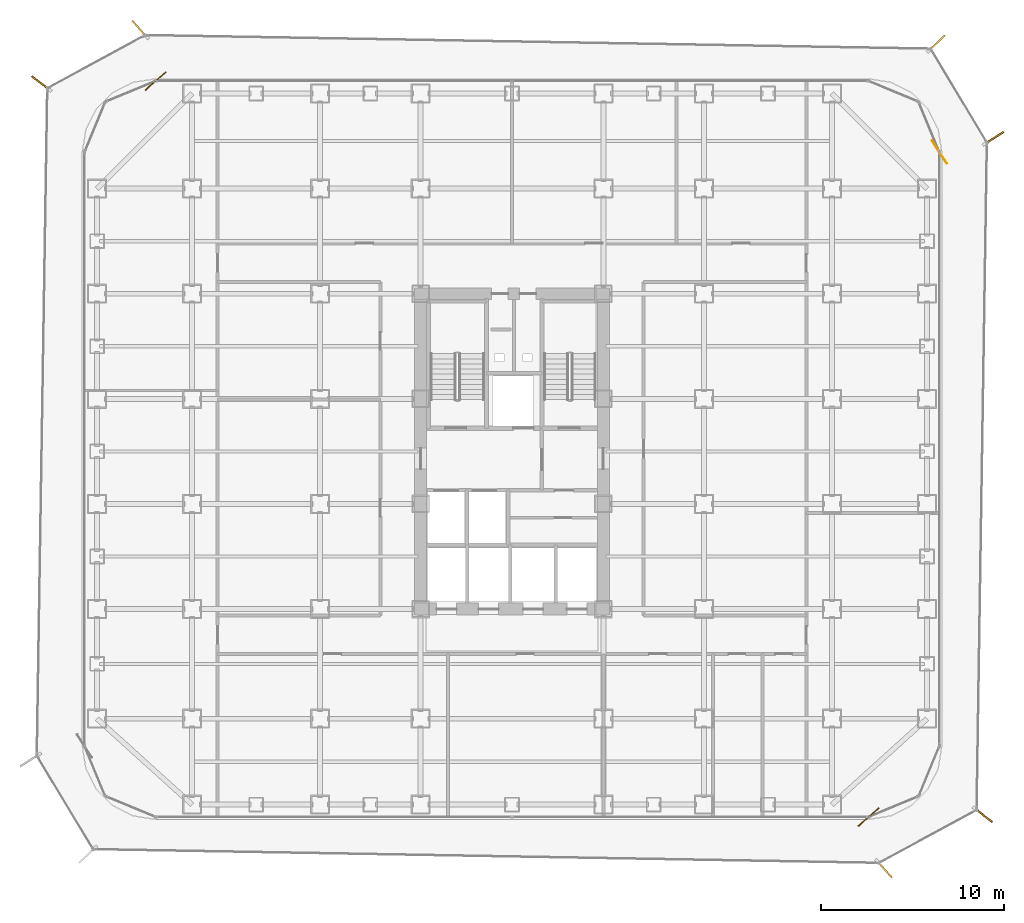
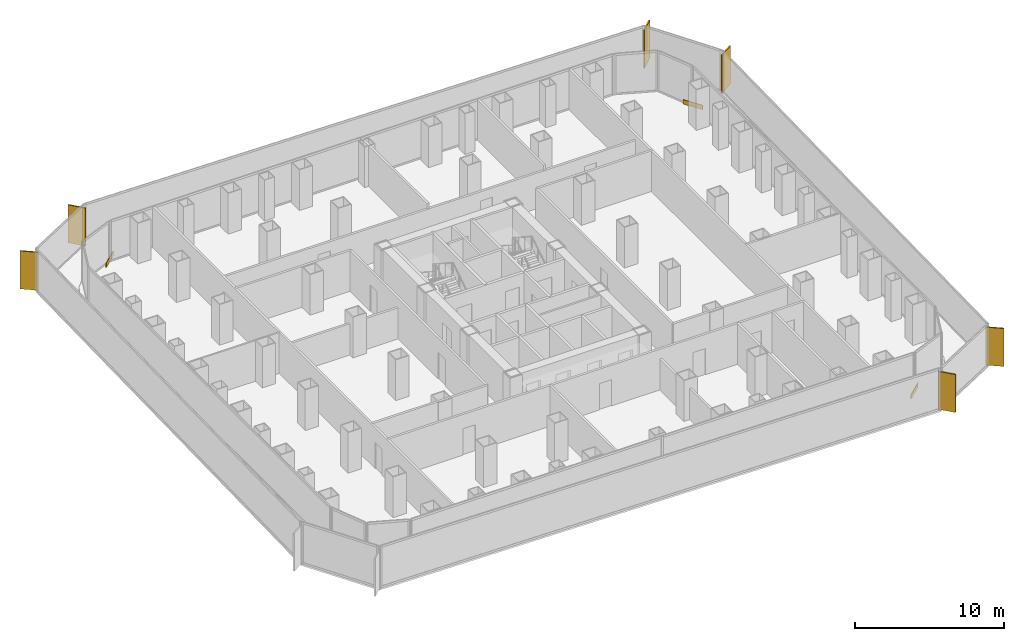
# One storey, part 21 of 21: 6 shading devices, 3 coverings.
"""IFC4 building model written with IfcOpenShell, lengths in metres."""

from ifc_helpers import new_model, si_unit, direction, frame, origin, origin_2d, place, context, subcontext, project, spatial, rectangle, extrude, source, transform, mapped, material, layer, layer_set, type_object, element, save


model = new_model("IFC4")

# Units and contexts
model_context = context("Model", 3, precision=1e-05, world=origin(), true_north=direction((0.0, 1.0)))
body_context = subcontext(model_context, "Body", "Model", "MODEL_VIEW")
ifc_project = project(units=[si_unit("LENGTHUNIT", "METRE"), si_unit("AREAUNIT", "SQUARE_METRE"), si_unit("VOLUMEUNIT", "CUBIC_METRE"), si_unit("PLANEANGLEUNIT", "RADIAN"), si_unit("MASSUNIT", "GRAM", prefix="KILO")], contexts=[model_context])

# Site, building, storey
site_placement = place(None, origin())
site = spatial("IfcSite", under=ifc_project, at=site_placement, CompositionType="ELEMENT")
building_placement = place(site_placement, origin())
building = spatial("IfcBuilding", under=site, at=building_placement, Name="Kolveth Station Tower", CompositionType="ELEMENT")
storey_placement = place(building_placement, frame((0.0, 0.0, 36.89990234375)))
storey = spatial("IfcBuildingStorey", under=building, at=storey_placement, Name="L09", CompositionType="ELEMENT", Elevation=36.89990234375)

# Shading devices
ifc_material_1 = material(Name="Black anodized aluminium 6063-T6", Category="aluminium")
shading_device_type = type_object("IfcShadingDeviceType", Name="FIN_VF1", PredefinedType="USERDEFINED", material=ifc_material_1)
shared_shape_1 = source(origin(), body_context, "Body", "SweptSolid", [
    extrude(rectangle(XDim=1.25, YDim=0.090087890625, at=origin_2d()), origin(), (0.0, 0.0, 1.0), 3.10009765625),
])
for number, where, z_axis, x_axis, name in (
    (1, (43.866943359375, -2.72705078125, 0.0), (0.0, 0.0, 1.0), (0.66327338299, -0.748377190605, 0.0), "L09 Dark-Aluminium Solar Fin 1"),
    (2, (49.277099609375, 0.23388671875, 0.0), (0.0, 0.0, 1.0), (0.789833986695, -0.613320693815, 0.0), "L09 Dark-Aluminium Solar Fin 2"),
    (3, (49.862060546875, 37.264892578125, 0.0), (0.0, 0.0, 1.0), (0.840188215011, 0.542294904417, 0.0), "L09 Dark-Aluminium Solar Fin 3"),
    (4, (46.73095703125, 42.4580078125, 0.0), (0.0, 0.0, 1.0), (0.722846553171, 0.691008582124, 0.0), "L09 Dark-Aluminium Solar Fin 4"),
    (5, (3.133056640625, 43.22509765625, 0.0), (0.0, 0.0, 1.0), (-0.663403989347, 0.748261416163, 0.0), "L09 Dark-Aluminium Solar Fin 5"),
    (6, (-2.27099609375, 40.261962890625, 0.0), (0.0, 0.0, 1.0), (-0.789833986695, 0.613320693815, 0.0), "L09 Dark-Aluminium Solar Fin 6"),
):
    element("IfcShadingDevice", number, at=place(storey_placement, frame(where, z_axis=z_axis, x_axis=x_axis)), inside=storey, type_object=shading_device_type, Name=name, ObjectType="FIN", PredefinedType="USERDEFINED", context=body_context, shape_type="MappedRepresentation", body=[
        mapped(shared_shape_1, transform((0.0, 0.0, 0.0), x_axis=(1.0, 0.0, 0.0), y_axis=(0.0, 1.0, 0.0), z_axis=(0.0, 0.0, 1.0), scale=1.0)),
    ])

# Coverings
ifc_material_2 = material(Name="Charcoal anodized aluminium spandrel cladding", Category="aluminium")
ifc_layer = layer(ifc_material_2, 0.044921875)
ifc_layer_set = layer_set([ifc_layer], Name="Charcoal anodized aluminium spandrel cladding")
covering_type = type_object("IfcCoveringType", Name="Clad_CD1", PredefinedType="CLADDING", material=ifc_layer_set)
shared_shape_2 = source(origin(), body_context, "Body", "SweptSolid", [
    extrude(rectangle(XDim=1.5, YDim=0.044921875, at=origin_2d()), origin(), (0.0, 0.0, 1.0), 0.360107421875),
])
for number, where, z_axis, x_axis, name in (
    (7, (43.0, 0.1201171875, 0.0), (0.0, 0.0, 1.0), (0.748377190605, 0.66327338299, 0.0), "L09 Spandrel Edge Cladding 1"),
    (8, (46.8798828125, 36.5, 0.0), (0.0, 0.0, 1.0), (-0.542294904417, 0.840188215011, 0.0), "L09 Spandrel Edge Cladding 3"),
    (9, (4.0, 40.3798828125, 0.0), (0.0, 0.0, 1.0), (-0.748261416163, -0.663403989347, 0.0), "L09 Spandrel Edge Cladding 5"),
):
    element("IfcCovering", number, at=place(storey_placement, frame(where, z_axis=z_axis, x_axis=x_axis)), inside=storey, type_object=covering_type, Name=name, PredefinedType="CLADDING", context=body_context, shape_type="MappedRepresentation", body=[
        mapped(shared_shape_2, transform((0.0, 0.0, 0.0), x_axis=(1.0, 0.0, 0.0), y_axis=(0.0, 1.0, 0.0), z_axis=(0.0, 0.0, 1.0), scale=1.0)),
    ])

save(model, "model.ifc")
